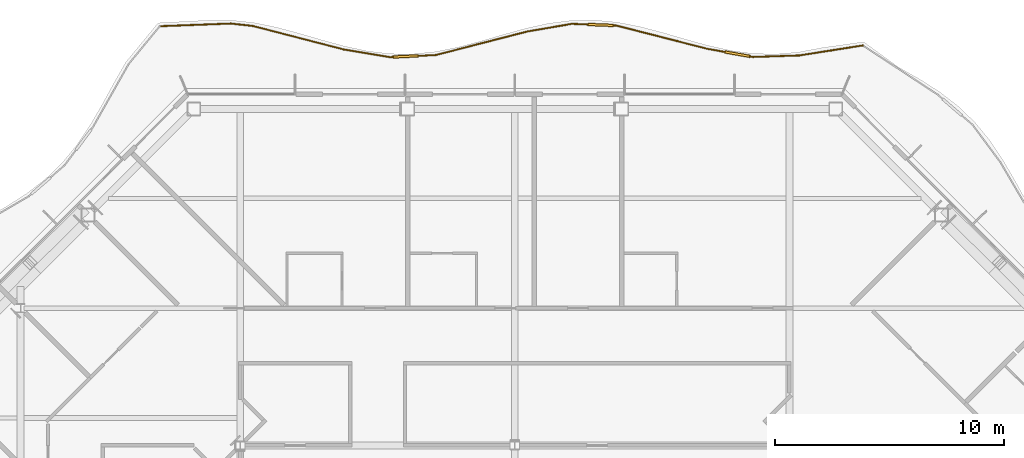
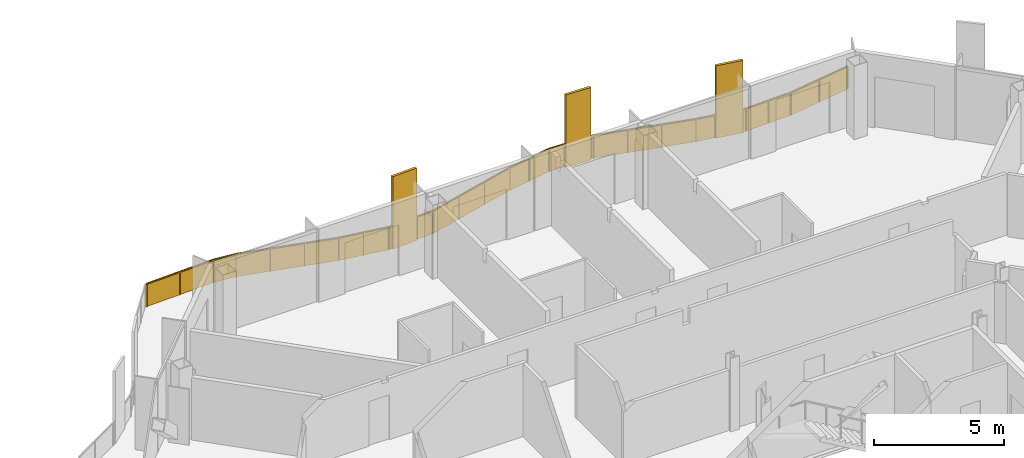
# One storey, part 20 of 21: 1 railing.
"""IFC4 building model written with IfcOpenShell, lengths in metres."""

from ifc_helpers import new_model, si_unit, direction, frame, origin, origin_2d, place, context, subcontext, project, spatial, polyline, rectangle, outline, extrude, material, type_object, element, save


model = new_model("IFC4")

# Units and contexts
model_context = context("Model", 3, precision=1e-05, world=origin(), true_north=direction((0.0, 1.0)))
body_context = subcontext(model_context, "Body", "Model", "MODEL_VIEW")
ifc_project = project(units=[si_unit("LENGTHUNIT", "METRE"), si_unit("AREAUNIT", "SQUARE_METRE"), si_unit("VOLUMEUNIT", "CUBIC_METRE"), si_unit("PLANEANGLEUNIT", "RADIAN"), si_unit("MASSUNIT", "GRAM", prefix="KILO")], contexts=[model_context])

# Site, building, storey
site_placement = place(None, origin())
site = spatial("IfcSite", under=ifc_project, at=site_placement, CompositionType="ELEMENT")
building_placement = place(site_placement, origin())
building = spatial("IfcBuilding", under=site, at=building_placement, Name="Cairn Pilgrim Tower", CompositionType="ELEMENT")
storey_placement = place(building_placement, frame((0.0, 0.0, 161.39990234375)))
storey = spatial("IfcBuildingStorey", under=building, at=storey_placement, Name="L40", CompositionType="ELEMENT", Elevation=161.39990234375)

# Railing
ifc_material = material(Name="Bronze anodised aluminium rail, posts and fin screens with laminated glass infill", Category="aluminium")
railing_type = type_object("IfcRailingType", Name="BALCONY GUARD WITH FIN SCREENS", PredefinedType="GUARDRAIL", material=ifc_material)
railing_placement = place(storey_placement, frame((22.41015625, 30.680908203125, 0.0)))
element("IfcRailing", 1, at=railing_placement, inside=storey, type_object=railing_type, Name="Balcony guard BGF-5 with fin screens", PredefinedType="GUARDRAIL", context=body_context, shape_type="SweptSolid", body=[
    extrude(rectangle(XDim=0.050048828125, YDim=0.050048828125, at=origin_2d()), frame((0.0, 0.0, 1.0751953125), z_axis=(-0.987887758286, -0.155170155084, 0.0), x_axis=(0.155170155084, -0.987887758286, 0.0)), (0.0, 0.0, 1.0), 2.81640625),
    extrude(rectangle(XDim=0.050048828125, YDim=0.050048828125, at=origin_2d()), frame((-2.7822265625, -0.43701171875, 1.0751953125), z_axis=(-0.999463203594, -0.032761328757, 0.0), x_axis=(0.032761328757, -0.999463203594, 0.0)), (0.0, 0.0, 1.0), 2.011962890625),
    extrude(rectangle(XDim=1.10009765625, YDim=0.110107421875, at=origin_2d()), frame((-5.482666015625, -0.380859375, 0.0), z_axis=(0.0, 0.0, 1.0), x_axis=(-0.984659127692, 0.174488974586, 0.0)), (0.0, 0.0, 1.0), 3.39990234375),
    extrude(rectangle(XDim=0.050048828125, YDim=0.050048828125, at=origin_2d()), frame((-4.793212890625, -0.5029296875, 1.0751953125), z_axis=(-0.984659127692, 0.174488974586, 0.0), x_axis=(-0.174488974586, -0.984659127692, 0.0)), (0.0, 0.0, 1.0), 0.150146484375),
    extrude(rectangle(XDim=0.050048828125, YDim=0.050048828125, at=origin_2d()), frame((-6.024169921875, -0.28466796875, 1.0751953125), z_axis=(-0.984659127692, 0.174488974586, 0.0), x_axis=(-0.174488974586, -0.984659127692, 0.0)), (0.0, 0.0, 1.0), 0.788330078125),
    extrude(rectangle(XDim=0.050048828125, YDim=0.050048828125, at=origin_2d()), frame((-6.800537109375, -0.147216796875, 1.0751953125), z_axis=(-0.968685954095, 0.248289190945, 0.0), x_axis=(-0.248289190945, -0.968685954095, 0.0)), (0.0, 0.0, 1.0), 4.090576171875),
    extrude(rectangle(XDim=1.10009765625, YDim=0.110107421875, at=origin_2d()), frame((-11.46240234375, 0.895751953125, 0.0), z_axis=(0.0, 0.0, 1.0), x_axis=(-0.999241503317, 0.03894121272, 0.0)), (0.0, 0.0, 1.0), 3.39990234375),
    extrude(rectangle(XDim=0.050048828125, YDim=0.050048828125, at=origin_2d()), frame((-10.762939453125, 0.868408203125, 1.0751953125), z_axis=(-0.999241503317, 0.03894121272, 0.0), x_axis=(-0.03894121272, -0.999241503317, 0.0)), (0.0, 0.0, 1.0), 0.150146484375),
    extrude(rectangle(XDim=0.050048828125, YDim=0.050048828125, at=origin_2d()), frame((-12.01220703125, 0.9169921875, 1.0751953125), z_axis=(-0.999241503317, 0.03894121272, 0.0), x_axis=(-0.03894121272, -0.999241503317, 0.0)), (0.0, 0.0, 1.0), 0.7060546875),
    extrude(rectangle(XDim=0.050048828125, YDim=0.050048828125, at=origin_2d()), frame((-12.717529296875, 0.944580078125, 1.0751953125), z_axis=(-0.985468599326, -0.169857704395, 0.0), x_axis=(0.169857704395, -0.985468599326, 0.0)), (0.0, 0.0, 1.0), 1.99365234375),
    extrude(rectangle(XDim=0.050048828125, YDim=0.050048828125, at=origin_2d()), frame((-14.68212890625, 0.60595703125, 1.0751953125), z_axis=(-0.968342172781, -0.249626593964, 0.0), x_axis=(0.249626593964, -0.968342172781, 0.0)), (0.0, 0.0, 1.0), 4.111572265625),
    extrude(rectangle(XDim=1.10009765625, YDim=0.110107421875, at=origin_2d()), frame((-19.982177734375, -0.479736328125, 0.0), z_axis=(0.0, 0.0, 1.0), x_axis=(-0.998988627992, -0.044963553492, 0.0)), (0.0, 0.0, 1.0), 3.39990234375),
    extrude(rectangle(XDim=0.050048828125, YDim=0.050048828125, at=origin_2d()), frame((-18.66357421875, -0.42041015625, 1.0751953125), z_axis=(-0.998988627992, -0.044963553492, 0.0), x_axis=(0.044963553492, -0.998988627992, 0.0)), (0.0, 0.0, 1.0), 0.769775390625),
    extrude(rectangle(XDim=0.050048828125, YDim=0.050048828125, at=origin_2d()), frame((-20.531494140625, -0.50439453125, 1.0751953125), z_axis=(-0.998988627992, -0.044963553492, 0.0), x_axis=(0.044963553492, -0.998988627992, 0.0)), (0.0, 0.0, 1.0), 0.14990234375),
    extrude(rectangle(XDim=0.050048828125, YDim=0.050048828125, at=origin_2d()), frame((-20.681396484375, -0.51123046875, 1.0751953125), z_axis=(-0.986296535237, 0.164982255347, 0.0), x_axis=(-0.164982255347, -0.986296535237, 0.0)), (0.0, 0.0, 1.0), 2.0361328125),
    extrude(rectangle(XDim=0.050048828125, YDim=0.050048828125, at=origin_2d()), frame((-22.689697265625, -0.17529296875, 1.0751953125), z_axis=(-0.968036542033, 0.250809196979, 0.0), x_axis=(-0.250809196979, -0.968036542033, 0.0)), (0.0, 0.0, 1.0), 4.09912109375),
    extrude(rectangle(XDim=0.050048828125, YDim=0.050048828125, at=origin_2d()), frame((-26.65771484375, 0.852783203125, 1.0751953125), z_axis=(-0.994317659029, 0.106453712678, 0.0), x_axis=(-0.106453712678, -0.994317659029, 0.0)), (0.0, 0.0, 1.0), 0.97705078125),
    extrude(rectangle(XDim=0.050048828125, YDim=0.050048828125, at=origin_2d()), frame((-27.629150390625, 0.956787109375, 1.0751953125), z_axis=(-0.999295771585, -0.037522804963, 0.0), x_axis=(0.037522804963, -0.999295771585, 0.0)), (0.0, 0.0, 1.0), 3.03857421875),
    extrude(rectangle(XDim=0.050048828125, YDim=0.050048828125, at=origin_2d()), origin(), (0.0, 0.0, 1.0), 1.050048828125),
    extrude(rectangle(XDim=0.050048828125, YDim=0.050048828125, at=origin_2d()), frame((-1.39111328125, -0.218505859375, 0.0)), (0.0, 0.0, 1.0), 1.050048828125),
    extrude(rectangle(XDim=0.050048828125, YDim=0.050048828125, at=origin_2d()), frame((-2.7822265625, -0.43701171875, 0.0)), (0.0, 0.0, 1.0), 1.050048828125),
    extrude(rectangle(XDim=0.050048828125, YDim=0.050048828125, at=origin_2d()), frame((-3.78759765625, -0.469970703125, 0.0)), (0.0, 0.0, 1.0), 1.050048828125),
    extrude(rectangle(XDim=0.050048828125, YDim=0.050048828125, at=origin_2d()), frame((-4.793212890625, -0.5029296875, 0.0)), (0.0, 0.0, 1.0), 1.050048828125),
    extrude(rectangle(XDim=0.050048828125, YDim=0.050048828125, at=origin_2d()), frame((-4.91650390625, -0.481201171875, 0.0)), (0.0, 0.0, 1.0), 1.050048828125),
    extrude(rectangle(XDim=0.050048828125, YDim=0.050048828125, at=origin_2d()), frame((-6.048828125, -0.280517578125, 0.0)), (0.0, 0.0, 1.0), 1.050048828125),
    extrude(rectangle(XDim=0.050048828125, YDim=0.050048828125, at=origin_2d()), frame((-6.800537109375, -0.147216796875, 0.0)), (0.0, 0.0, 1.0), 1.050048828125),
    extrude(rectangle(XDim=0.050048828125, YDim=0.050048828125, at=origin_2d()), frame((-8.121337890625, 0.19140625, 0.0)), (0.0, 0.0, 1.0), 1.050048828125),
    extrude(rectangle(XDim=0.050048828125, YDim=0.050048828125, at=origin_2d()), frame((-9.442138671875, 0.52978515625, 0.0)), (0.0, 0.0, 1.0), 1.050048828125),
    extrude(rectangle(XDim=0.050048828125, YDim=0.050048828125, at=origin_2d()), frame((-10.762939453125, 0.868408203125, 0.0)), (0.0, 0.0, 1.0), 1.050048828125),
    extrude(rectangle(XDim=0.050048828125, YDim=0.050048828125, at=origin_2d()), frame((-10.887939453125, 0.873291015625, 0.0)), (0.0, 0.0, 1.0), 1.050048828125),
    extrude(rectangle(XDim=0.050048828125, YDim=0.050048828125, at=origin_2d()), frame((-12.037109375, 0.91796875, 0.0)), (0.0, 0.0, 1.0), 1.050048828125),
    extrude(rectangle(XDim=0.050048828125, YDim=0.050048828125, at=origin_2d()), frame((-12.717529296875, 0.944580078125, 0.0)), (0.0, 0.0, 1.0), 1.050048828125),
    extrude(rectangle(XDim=0.050048828125, YDim=0.050048828125, at=origin_2d()), frame((-13.69970703125, 0.775390625, 0.0)), (0.0, 0.0, 1.0), 1.050048828125),
    extrude(rectangle(XDim=0.050048828125, YDim=0.050048828125, at=origin_2d()), frame((-14.68212890625, 0.60595703125, 0.0)), (0.0, 0.0, 1.0), 1.050048828125),
    extrude(rectangle(XDim=0.050048828125, YDim=0.050048828125, at=origin_2d()), frame((-16.00927734375, 0.263916015625, 0.0)), (0.0, 0.0, 1.0), 1.050048828125),
    extrude(rectangle(XDim=0.050048828125, YDim=0.050048828125, at=origin_2d()), frame((-17.33642578125, -0.078369140625, 0.0)), (0.0, 0.0, 1.0), 1.050048828125),
    extrude(rectangle(XDim=0.050048828125, YDim=0.050048828125, at=origin_2d()), frame((-18.66357421875, -0.42041015625, 0.0)), (0.0, 0.0, 1.0), 1.050048828125),
    extrude(rectangle(XDim=0.050048828125, YDim=0.050048828125, at=origin_2d()), frame((-19.40771484375, -0.453857421875, 0.0)), (0.0, 0.0, 1.0), 1.050048828125),
    extrude(rectangle(XDim=0.050048828125, YDim=0.050048828125, at=origin_2d()), frame((-20.556640625, -0.505615234375, 0.0)), (0.0, 0.0, 1.0), 1.050048828125),
    extrude(rectangle(XDim=0.050048828125, YDim=0.050048828125, at=origin_2d()), frame((-20.681396484375, -0.51123046875, 0.0)), (0.0, 0.0, 1.0), 1.050048828125),
    extrude(rectangle(XDim=0.050048828125, YDim=0.050048828125, at=origin_2d()), frame((-21.685546875, -0.34326171875, 0.0)), (0.0, 0.0, 1.0), 1.050048828125),
    extrude(rectangle(XDim=0.050048828125, YDim=0.050048828125, at=origin_2d()), frame((-22.689697265625, -0.17529296875, 0.0)), (0.0, 0.0, 1.0), 1.050048828125),
    extrude(rectangle(XDim=0.050048828125, YDim=0.050048828125, at=origin_2d()), frame((-24.012451171875, 0.16748046875, 0.0)), (0.0, 0.0, 1.0), 1.050048828125),
    extrude(rectangle(XDim=0.050048828125, YDim=0.050048828125, at=origin_2d()), frame((-25.3349609375, 0.510009765625, 0.0)), (0.0, 0.0, 1.0), 1.050048828125),
    extrude(rectangle(XDim=0.050048828125, YDim=0.050048828125, at=origin_2d()), frame((-26.65771484375, 0.852783203125, 0.0)), (0.0, 0.0, 1.0), 1.050048828125),
    extrude(rectangle(XDim=0.050048828125, YDim=0.050048828125, at=origin_2d()), frame((-27.629150390625, 0.956787109375, 0.0)), (0.0, 0.0, 1.0), 1.050048828125),
    extrude(rectangle(XDim=0.050048828125, YDim=0.050048828125, at=origin_2d()), frame((-29.1474609375, 0.89990234375, 0.0)), (0.0, 0.0, 1.0), 1.050048828125),
    extrude(rectangle(XDim=0.050048828125, YDim=0.050048828125, at=origin_2d()), frame((-30.66552734375, 0.8427734375, 0.0)), (0.0, 0.0, 1.0), 1.050048828125),
    extrude(outline(polyline([(0.02490234375, 0.0), (1.383056640625, 0.0), (1.383056640625, 1.050048828125), (0.02490234375, 1.050048828125), (0.02490234375, 0.0)])), frame((0.0009765625, -0.005859375, 0.0), z_axis=(-0.155170155084, 0.987887758286, 0.0), x_axis=(-0.987887758286, -0.155170155084, 0.0)), (0.0, 0.0, 1.0), 0.011962890625),
    extrude(outline(polyline([(0.02490234375, 0.0), (1.383056640625, 0.0), (1.383056640625, 1.050048828125), (0.02490234375, 1.050048828125), (0.02490234375, 0.0)])), frame((-1.39013671875, -0.224365234375, 0.0), z_axis=(-0.155170155084, 0.987887758286, 0.0), x_axis=(-0.987887758286, -0.155170155084, 0.0)), (0.0, 0.0, 1.0), 0.011962890625),
    extrude(outline(polyline([(0.02490234375, 0.0), (0.98095703125, 0.0), (0.98095703125, 1.050048828125), (0.02490234375, 1.050048828125), (0.02490234375, 0.0)])), frame((-2.781982421875, -0.44287109375, 0.0), z_axis=(-0.032761328757, 0.999463203594, 0.0), x_axis=(-0.999463203594, -0.032761328757, 0.0)), (0.0, 0.0, 1.0), 0.011962890625),
    extrude(outline(polyline([(0.02490234375, 0.0), (0.98095703125, 0.0), (0.98095703125, 1.050048828125), (0.02490234375, 1.050048828125), (0.02490234375, 0.0)])), frame((-3.78759765625, -0.475830078125, 0.0), z_axis=(-0.032761328757, 0.999463203594, 0.0), x_axis=(-0.999463203594, -0.032761328757, 0.0)), (0.0, 0.0, 1.0), 0.011962890625),
    extrude(outline(polyline([(0.02490234375, 0.0), (0.10009765625, 0.0), (0.10009765625, 1.050048828125), (0.02490234375, 1.050048828125), (0.02490234375, 0.0)])), frame((-4.794189453125, -0.5087890625, 0.0), z_axis=(0.174488974586, 0.984659127692, 0.0), x_axis=(-0.984659127692, 0.174488974586, 0.0)), (0.0, 0.0, 1.0), 0.011962890625),
    extrude(outline(polyline([(0.02490234375, 0.0), (0.73828125, 0.0), (0.73828125, 1.050048828125), (0.02490234375, 1.050048828125), (0.02490234375, 0.0)])), frame((-6.0498046875, -0.286376953125, 0.0), z_axis=(0.174488974586, 0.984659127692, 0.0), x_axis=(-0.984659127692, 0.174488974586, 0.0)), (0.0, 0.0, 1.0), 0.011962890625),
    extrude(outline(polyline([(0.02490234375, 0.0), (1.33837890625, 0.0), (1.33837890625, 1.050048828125), (0.02490234375, 1.050048828125), (0.02490234375, 0.0)])), frame((-6.802001953125, -0.153076171875, 0.0), z_axis=(0.248289190945, 0.968685954095, 0.0), x_axis=(-0.968685954095, 0.248289190945, 0.0)), (0.0, 0.0, 1.0), 0.011962890625),
    extrude(outline(polyline([(0.02490234375, 0.0), (1.33837890625, 0.0), (1.33837890625, 1.050048828125), (0.02490234375, 1.050048828125), (0.02490234375, 0.0)])), frame((-8.122802734375, 0.185546875, 0.0), z_axis=(0.248289190945, 0.968685954095, 0.0), x_axis=(-0.968685954095, 0.248289190945, 0.0)), (0.0, 0.0, 1.0), 0.011962890625),
    extrude(outline(polyline([(0.02490234375, 0.0), (1.33837890625, 0.0), (1.33837890625, 1.050048828125), (0.02490234375, 1.050048828125), (0.02490234375, 0.0)])), frame((-9.443603515625, 0.524169921875, 0.0), z_axis=(0.248289190945, 0.968685954095, 0.0), x_axis=(-0.968685954095, 0.248289190945, 0.0)), (0.0, 0.0, 1.0), 0.011962890625),
    extrude(outline(polyline([(0.02490234375, 0.0), (0.10009765625, 0.0), (0.10009765625, 1.050048828125), (0.02490234375, 1.050048828125), (0.02490234375, 0.0)])), frame((-10.76318359375, 0.862548828125, 0.0), z_axis=(0.03894121272, 0.999241503317, 0.0), x_axis=(-0.999241503317, 0.03894121272, 0.0)), (0.0, 0.0, 1.0), 0.011962890625),
    extrude(outline(polyline([(0.02490234375, 0.0), (0.656005859375, 0.0), (0.656005859375, 1.050048828125), (0.02490234375, 1.050048828125), (0.02490234375, 0.0)])), frame((-12.037353515625, 0.912109375, 0.0), z_axis=(0.03894121272, 0.999241503317, 0.0), x_axis=(-0.999241503317, 0.03894121272, 0.0)), (0.0, 0.0, 1.0), 0.011962890625),
    extrude(outline(polyline([(0.02490234375, 0.0), (0.9716796875, 0.0), (0.9716796875, 1.050048828125), (0.02490234375, 1.050048828125), (0.02490234375, 0.0)])), frame((-12.716552734375, 0.938720703125, 0.0), z_axis=(-0.169857704395, 0.985468599326, 0.0), x_axis=(-0.985468599326, -0.169857704395, 0.0)), (0.0, 0.0, 1.0), 0.011962890625),
    extrude(outline(polyline([(0.02490234375, 0.0), (0.9716796875, 0.0), (0.9716796875, 1.050048828125), (0.02490234375, 1.050048828125), (0.02490234375, 0.0)])), frame((-13.69873046875, 0.769287109375, 0.0), z_axis=(-0.169857704395, 0.985468599326, 0.0), x_axis=(-0.985468599326, -0.169857704395, 0.0)), (0.0, 0.0, 1.0), 0.011962890625),
    extrude(outline(polyline([(0.02490234375, 0.0), (1.345458984375, 0.0), (1.345458984375, 1.050048828125), (0.02490234375, 1.050048828125), (0.02490234375, 0.0)])), frame((-14.6806640625, 0.60009765625, 0.0), z_axis=(-0.249626593964, 0.968342172781, 0.0), x_axis=(-0.968342172781, -0.249626593964, 0.0)), (0.0, 0.0, 1.0), 0.011962890625),
    extrude(outline(polyline([(0.02490234375, 0.0), (1.345458984375, 0.0), (1.345458984375, 1.050048828125), (0.02490234375, 1.050048828125), (0.02490234375, 0.0)])), frame((-16.0078125, 0.258056640625, 0.0), z_axis=(-0.249626593964, 0.968342172781, 0.0), x_axis=(-0.968342172781, -0.249626593964, 0.0)), (0.0, 0.0, 1.0), 0.011962890625),
    extrude(outline(polyline([(0.02490234375, 0.0), (1.345458984375, 0.0), (1.345458984375, 1.050048828125), (0.02490234375, 1.050048828125), (0.02490234375, 0.0)])), frame((-17.3349609375, -0.083984375, 0.0), z_axis=(-0.249626593964, 0.968342172781, 0.0), x_axis=(-0.968342172781, -0.249626593964, 0.0)), (0.0, 0.0, 1.0), 0.011962890625),
    extrude(outline(polyline([(0.02490234375, 0.0), (0.7197265625, 0.0), (0.7197265625, 1.050048828125), (0.02490234375, 1.050048828125), (0.02490234375, 0.0)])), frame((-18.663330078125, -0.42626953125, 0.0), z_axis=(-0.044963553492, 0.998988627992, 0.0), x_axis=(-0.998988627992, -0.044963553492, 0.0)), (0.0, 0.0, 1.0), 0.011962890625),
    extrude(outline(polyline([(0.02490234375, 0.0), (0.099853515625, 0.0), (0.099853515625, 1.050048828125), (0.02490234375, 1.050048828125), (0.02490234375, 0.0)])), frame((-20.55615234375, -0.511474609375, 0.0), z_axis=(-0.044963553492, 0.998988627992, 0.0), x_axis=(-0.998988627992, -0.044963553492, 0.0)), (0.0, 0.0, 1.0), 0.011962890625),
    extrude(outline(polyline([(0.02490234375, 0.0), (0.9931640625, 0.0), (0.9931640625, 1.050048828125), (0.02490234375, 1.050048828125), (0.02490234375, 0.0)])), frame((-20.682373046875, -0.51708984375, 0.0), z_axis=(0.164982255347, 0.986296535237, 0.0), x_axis=(-0.986296535237, 0.164982255347, 0.0)), (0.0, 0.0, 1.0), 0.011962890625),
    extrude(outline(polyline([(0.02490234375, 0.0), (0.9931640625, 0.0), (0.9931640625, 1.050048828125), (0.02490234375, 1.050048828125), (0.02490234375, 0.0)])), frame((-21.6865234375, -0.34912109375, 0.0), z_axis=(0.164982255347, 0.986296535237, 0.0), x_axis=(-0.986296535237, 0.164982255347, 0.0)), (0.0, 0.0, 1.0), 0.011962890625),
    extrude(outline(polyline([(0.02490234375, 0.0), (1.34130859375, 0.0), (1.34130859375, 1.050048828125), (0.02490234375, 1.050048828125), (0.02490234375, 0.0)])), frame((-22.691162109375, -0.18115234375, 0.0), z_axis=(0.250809196979, 0.968036542033, 0.0), x_axis=(-0.968036542033, 0.250809196979, 0.0)), (0.0, 0.0, 1.0), 0.011962890625),
    extrude(outline(polyline([(0.02490234375, 0.0), (1.34130859375, 0.0), (1.34130859375, 1.050048828125), (0.02490234375, 1.050048828125), (0.02490234375, 0.0)])), frame((-24.013916015625, 0.16162109375, 0.0), z_axis=(0.250809196979, 0.968036542033, 0.0), x_axis=(-0.968036542033, 0.250809196979, 0.0)), (0.0, 0.0, 1.0), 0.011962890625),
    extrude(outline(polyline([(0.02490234375, 0.0), (1.34130859375, 0.0), (1.34130859375, 1.050048828125), (0.02490234375, 1.050048828125), (0.02490234375, 0.0)])), frame((-25.33642578125, 0.50439453125, 0.0), z_axis=(0.250809196979, 0.968036542033, 0.0), x_axis=(-0.968036542033, 0.250809196979, 0.0)), (0.0, 0.0, 1.0), 0.011962890625),
    extrude(outline(polyline([(0.02490234375, 0.0), (0.951904296875, 0.0), (0.951904296875, 1.050048828125), (0.02490234375, 1.050048828125), (0.02490234375, 0.0)])), frame((-26.658447265625, 0.846923828125, 0.0), z_axis=(0.106453712678, 0.994317659029, 0.0), x_axis=(-0.994317659029, 0.106453712678, 0.0)), (0.0, 0.0, 1.0), 0.011962890625),
    extrude(outline(polyline([(0.02490234375, 0.0), (1.494140625, 0.0), (1.494140625, 1.050048828125), (0.02490234375, 1.050048828125), (0.02490234375, 0.0)])), frame((-27.62890625, 0.950927734375, 0.0), z_axis=(-0.037522804963, 0.999295771585, 0.0), x_axis=(-0.999295771585, -0.037522804963, 0.0)), (0.0, 0.0, 1.0), 0.011962890625),
    extrude(outline(polyline([(0.02490234375, 0.0), (1.494140625, 0.0), (1.494140625, 1.050048828125), (0.02490234375, 1.050048828125), (0.02490234375, 0.0)])), frame((-29.147216796875, 0.893798828125, 0.0), z_axis=(-0.037522804963, 0.999295771585, 0.0), x_axis=(-0.999295771585, -0.037522804963, 0.0)), (0.0, 0.0, 1.0), 0.011962890625),
])

save(model, "model.ifc")
